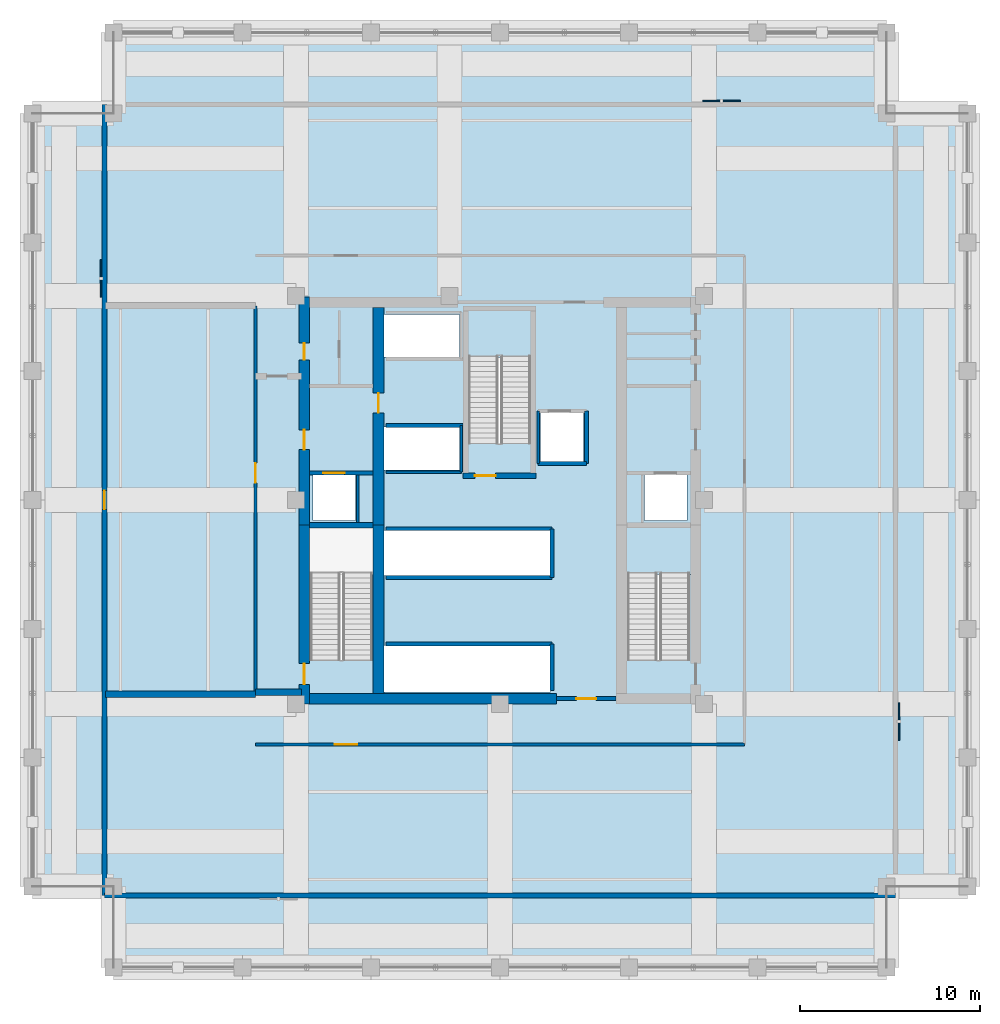
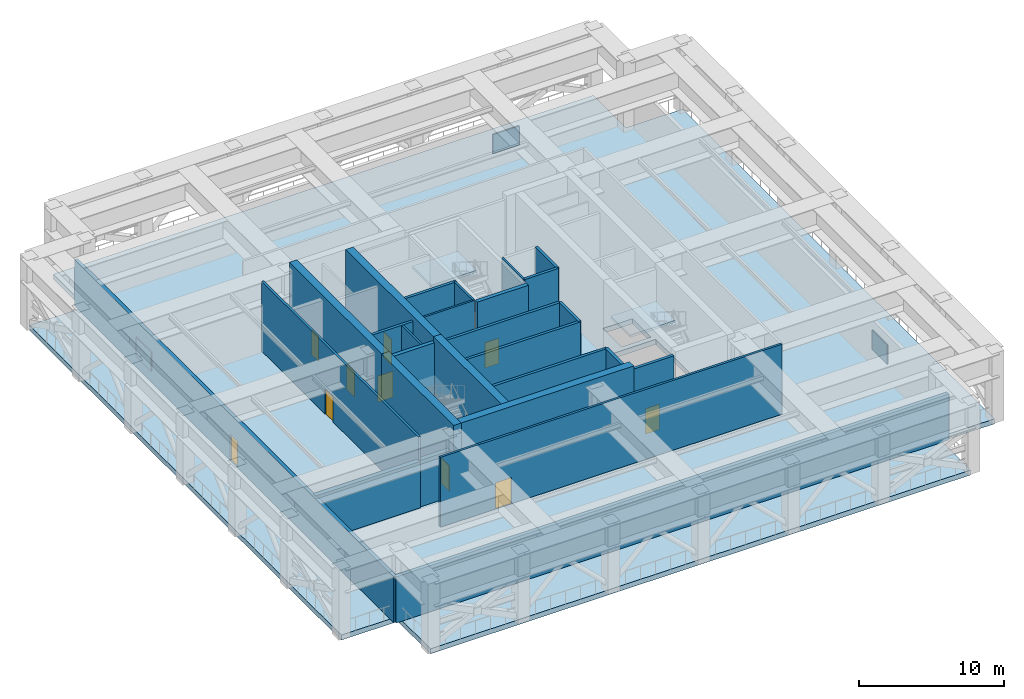
# One storey, part 3 of 12: 27 walls, 10 doors, 3 plates, 3 slabs, 10 openings, 2 elements without a shape of their own.
"""IFC4 building model written with IfcOpenShell, lengths in metres."""

from ifc_helpers import new_model, si_unit, direction, frame, frame_2d, origin, origin_2d, place, context, subcontext, project, spatial, polyline, rectangle, outline, extrude, material, layer, layer_set, type_object, element, fill, aggregate, save


model = new_model("IFC4")

# Units and contexts
model_context = context("Model", 3, precision=1e-05, world=origin(), true_north=direction((0.0, 1.0)))
body_context = subcontext(model_context, "Body", "Model", "MODEL_VIEW")
ifc_project = project(units=[si_unit("LENGTHUNIT", "METRE"), si_unit("AREAUNIT", "SQUARE_METRE"), si_unit("VOLUMEUNIT", "CUBIC_METRE"), si_unit("PLANEANGLEUNIT", "RADIAN"), si_unit("MASSUNIT", "GRAM", prefix="KILO")], contexts=[model_context])

# Site, building, storey
site_placement = place(None, origin())
site = spatial("IfcSite", under=ifc_project, at=site_placement, CompositionType="ELEMENT")
building_placement = place(site_placement, origin())
building = spatial("IfcBuilding", under=site, at=building_placement, Name="Nhamokura Convention Tower", CompositionType="ELEMENT")
storey_placement = place(building_placement, frame((0.0, 0.0, 176.050048828125)))
storey = spatial("IfcBuildingStorey", under=building, at=storey_placement, Name="L43", CompositionType="ELEMENT", Elevation=176.050048828125)

# Plates
ifc_material_1 = material(Name="Anodised bronze aluminium AA6063-T6", Category="aluminium")
ifc_layer_1 = layer(ifc_material_1, 0.0849609375)
ifc_layer_set_1 = layer_set([ifc_layer_1], Name="AcousticLouvrePlate_2")
plate_type = type_object("IfcPlateType", Name="AcousticLouvrePlate_2", PredefinedType="USERDEFINED", material=ifc_layer_set_1)
for number, where, z_axis, x_axis, name in (
    (1, (54.1826171875, 19.679931640625, 1.0), (0.0, 0.0, 1.0), (0.0, -1.0, 0.0), "L43 Plant Acoustic Louvre E"),
    (2, (44.320068359375, 54.1826171875, 1.0), (0.0, 0.0, 1.0), (1.0, 0.0, 0.0), "L43 Plant Acoustic Louvre N"),
    (3, (9.8173828125, 44.320068359375, 1.0), (0.0, 0.0, 1.0), (0.0, 1.0, 0.0), "L43 Plant Acoustic Louvre W"),
):
    element("IfcPlate", number, at=place(storey_placement, frame(where, z_axis=z_axis, x_axis=x_axis)), inside=storey, type_object=plate_type, Name=name, ObjectType="ACOUSTIC_LOUVRE", PredefinedType="USERDEFINED", context=body_context, shape_type="SweptSolid", body=[
        extrude(rectangle(XDim=2.10009765625, YDim=0.0849609375, at=origin_2d()), origin(), (0.0, 0.0, 1.0), 1.60009765625),
    ])

# Stair, slab
ifc_material_2 = material(Name="Concrete C40/50", Category="concrete")
stair_type = type_object("IfcStairType", Name="TowerCoreStair_1650", PredefinedType="HALF_TURN_STAIR", material=ifc_material_2)
stair_1_placement = place(storey_placement, origin())
stair_1 = element("IfcStair", 4, at=stair_1_placement, inside=storey, type_object=stair_type, Name="L43 East Core Smokeproof Stair ST-02", PredefinedType="HALF_TURN_STAIR")
ifc_material_3 = material(Name="Concrete C40/50", Category="concrete")
ifc_layer_2 = layer(ifc_material_3, 0.199951171875)
ifc_layer_set_2 = layer_set([ifc_layer_2], Name="StairLandingSlab_200")
slab_type_1 = type_object("IfcSlabType", Name="StairLandingSlab_200", PredefinedType="LANDING", material=ifc_layer_set_2)
slab_1_placement = place(storey_placement, frame((0.0, 0.0, 2.949951171875)))
slab_1 = element("IfcSlab", 5, at=slab_1_placement, type_object=slab_type_1, Name="ST-02 landing 1", PredefinedType="LANDING", context=body_context, shape_type="SweptSolid", body=[
    extrude(outline(polyline([(42.6298828125, 27.864990234375), (42.6298828125, 30.530029296875), (39.02001953125, 30.530029296875), (39.02001953125, 27.864990234375), (42.6298828125, 27.864990234375)])), origin(), (0.0, 0.0, 1.0), 0.199951171875),
])
aggregate(stair_1, [slab_1])

stair_2_placement = place(storey_placement, origin())
stair_2 = element("IfcStair", 6, at=stair_2_placement, inside=storey, type_object=stair_type, Name="L43 North Core Smokeproof Stair ST-03", PredefinedType="HALF_TURN_STAIR")
slab_2_placement = place(storey_placement, frame((0.0, 0.0, 2.949951171875)))
slab_2 = element("IfcSlab", 7, at=slab_2_placement, type_object=slab_type_1, Name="ST-03 landing 1", PredefinedType="LANDING", context=body_context, shape_type="SweptSolid", body=[
    extrude(outline(polyline([(33.780029296875, 39.9150390625), (33.780029296875, 42.580078125), (30.169921875, 42.580078125), (30.169921875, 39.9150390625), (33.780029296875, 39.9150390625)])), origin(), (0.0, 0.0, 1.0), 0.199951171875),
])
aggregate(stair_2, [slab_2])

# Slab
ifc_material_4 = material(Name="Concrete C50/60", Category="concrete")
ifc_layer_3 = layer(ifc_material_4, 0.419921875)
ifc_layer_set_3 = layer_set([ifc_layer_3], Name="TransferDeckSlab_380")
slab_type_2 = type_object("IfcSlabType", Name="TransferDeckSlab_380", PredefinedType="FLOOR", material=ifc_layer_set_3)
slab_3_placement = place(storey_placement, frame((0.0, 0.0, -0.420166015625)))
element("IfcSlab", 8, at=slab_3_placement, inside=storey, type_object=slab_type_2, Name="L43 Structural Floor Slab", PredefinedType="FLOOR", context=body_context, shape_type="SweptSolid", body=[
    extrude(outline(polyline([(10.5, 6.0), (53.5, 6.0), (53.5, 10.5), (58.0, 10.5), (58.0, 53.5), (53.5, 53.5), (53.5, 58.0), (10.5, 58.0), (10.5, 53.5), (6.0, 53.5), (6.0, 10.5), (10.5, 10.5), (10.5, 6.0)]), holes=[polyline([(24.89990234375, 23.10009765625), (24.89990234375, 30.449951171875), (21.449951171875, 30.449951171875), (21.449951171875, 23.10009765625), (24.89990234375, 23.10009765625)]), polyline([(42.550048828125, 23.10009765625), (42.550048828125, 30.449951171875), (39.10009765625, 30.449951171875), (39.10009765625, 23.10009765625), (42.550048828125, 23.10009765625)]), polyline([(33.699951171875, 35.14990234375), (33.699951171875, 42.5), (30.25, 42.5), (30.25, 35.14990234375), (33.699951171875, 35.14990234375)]), polyline([(21.60009765625, 30.85009765625), (23.949951171875, 30.85009765625), (23.949951171875, 33.39990234375), (21.60009765625, 33.39990234375), (21.60009765625, 30.85009765625)]), polyline([(40.050048828125, 30.85009765625), (42.39990234375, 30.85009765625), (42.39990234375, 33.39990234375), (40.050048828125, 33.39990234375), (40.050048828125, 30.85009765625)]), polyline([(34.25, 34.14990234375), (36.64990234375, 34.14990234375), (36.64990234375, 36.85009765625), (34.25, 36.85009765625), (34.25, 34.14990234375)]), polyline([(25.52001953125, 21.320068359375), (34.800048828125, 21.320068359375), (34.800048828125, 23.89990234375), (25.52001953125, 23.89990234375), (25.52001953125, 21.320068359375)]), polyline([(25.52001953125, 27.800048828125), (34.800048828125, 27.800048828125), (34.800048828125, 30.300048828125), (25.52001953125, 30.300048828125), (25.52001953125, 27.800048828125)]), polyline([(25.52001953125, 33.679931640625), (29.75, 33.679931640625), (29.75, 36.050048828125), (25.52001953125, 36.050048828125), (25.52001953125, 33.679931640625)]), polyline([(25.52001953125, 39.949951171875), (29.75, 39.949951171875), (29.75, 42.320068359375), (25.52001953125, 42.320068359375), (25.52001953125, 39.949951171875)])]), origin(), (0.0, 0.0, 1.0), 0.420166015625),
])

# Wall
ifc_material_5 = material(Name="Bronze-pigmented precast concrete C45/55", Category="concrete")
ifc_layer_4 = layer(ifc_material_5, 0.280029296875)
ifc_layer_set_4 = layer_set([ifc_layer_4], Name="BronzePrecastSpandrel_280")
wall_type_1 = type_object("IfcWallType", Name="BronzePrecastSpandrel_280", PredefinedType="USERDEFINED", material=ifc_layer_set_4)
wall_1_placement = place(storey_placement, frame((54.0, 10.0, 0.0), z_axis=(0.0, 0.0, 1.0), x_axis=(-1.0, 0.0, 0.0)))
element("IfcWall", 9, at=wall_1_placement, inside=storey, type_object=wall_type_1, Name="L43 Refuge Deck Enclosure Wall S", ObjectType="SPANDREL_WALL", PredefinedType="USERDEFINED", context=body_context, shape_type="SweptSolid", body=[
    extrude(rectangle(XDim=44.0, YDim=0.280029296875, at=frame_2d((22.0, 0.0))), origin(), (0.0, 0.0, 1.0), 3.8798828125),
])

# Wall, opening, door
wall_2_placement = place(storey_placement, frame((10.0, 10.0, 0.0), z_axis=(0.0, 0.0, 1.0), x_axis=(0.0, 1.0, 0.0)))
wall_2 = element("IfcWall", 10, at=wall_2_placement, inside=storey, type_object=wall_type_1, Name="L43 Refuge Deck Enclosure Wall W", ObjectType="SPANDREL_WALL", PredefinedType="USERDEFINED", context=body_context, shape_type="SweptSolid", body=[
    extrude(rectangle(XDim=44.0, YDim=0.280029296875, at=frame_2d((22.0, 0.0))), origin(), (0.0, 0.0, 1.0), 3.8798828125),
])
opening_1_placement = place(wall_2_placement, frame((21.47509765625, 0.0, 0.0)))
opening_1 = element("IfcOpeningElement", 11, at=opening_1_placement, cuts=wall_2, Name="Opening D-06", PredefinedType="OPENING", context=body_context, shape_type="SweptSolid", body=[
    extrude(rectangle(XDim=1.050048828125, YDim=2.199951171875, at=frame_2d((0.52490234375, 1.10009765625))), frame((0.0, 0.14990234375, 0.0), z_axis=(0.0, -1.0, 0.0), x_axis=(1.0, 0.0, 0.0)), (0.0, 0.0, 1.0), 0.300048828125),
])
ifc_material_6 = material(Name="Anodised bronze aluminium AA6063-T6", Category="aluminium")
door_type_1 = type_object("IfcDoorType", Name="TerraceAccessDoor_1050", OperationType="NOTDEFINED", PredefinedType="DOOR", material=ifc_material_6)
door_1_placement = place(opening_1_placement, origin())
door_1 = element("IfcDoor", 12, at=door_1_placement, inside=storey, type_object=door_type_1, Name="L43 Refuge Deck Access Door W", OperationType="SINGLE_SWING_RIGHT", OverallHeight=2.199951171875, OverallWidth=1.050048828125, PredefinedType="DOOR", context=body_context, shape_type="SweptSolid", body=[
    extrude(rectangle(XDim=1.050048828125, YDim=2.199951171875, at=frame_2d((0.52490234375, 1.10009765625))), frame((0.0, 0.02490234375, 0.0), z_axis=(0.0, -1.0, 0.0), x_axis=(1.0, 0.0, 0.0)), (0.0, 0.0, 1.0), 0.050048828125),
])
fill(opening_1, door_1)

ifc_material_7 = material(Name="Concrete C60/75", Category="concrete")
ifc_layer_5 = layer(ifc_material_7, 0.60009765625)
ifc_layer_set_5 = layer_set([ifc_layer_5], Name="CoreShearWall_600")
wall_type_2 = type_object("IfcWallType", Name="CoreShearWall_600", PredefinedType="SHEAR", material=ifc_layer_set_5)
wall_3_placement = place(storey_placement, frame((21.110107421875, 20.64990234375, 0.0), z_axis=(0.0, 0.0, 1.0), x_axis=(0.0, 1.0, 0.0)))
wall_3 = element("IfcWall", 13, at=wall_3_placement, inside=storey, type_object=wall_type_2, Name="L43 Core Shear Wall CW-WS", PredefinedType="SHEAR", context=body_context, shape_type="SweptSolid", body=[
    extrude(rectangle(XDim=9.9501953125, YDim=0.60009765625, at=frame_2d((4.97509765625, 0.0))), origin(), (0.0, 0.0, 1.0), 6.300048828125),
])
opening_2_placement = place(wall_3_placement, frame((1.10009765625, 0.0, 0.0)))
opening_2 = element("IfcOpeningElement", 14, at=opening_2_placement, cuts=wall_3, Name="Opening D-04", PredefinedType="OPENING", context=body_context, shape_type="SweptSolid", body=[
    extrude(rectangle(XDim=1.14990234375, YDim=2.14990234375, at=frame_2d((0.574951171875, 1.074951171875))), frame((0.0, 0.31005859375, 0.0), z_axis=(0.0, -1.0, 0.0), x_axis=(1.0, 0.0, 0.0)), (0.0, 0.0, 1.0), 0.6201171875),
])
ifc_material_8 = material(Name="Fire-rated steel door", Category="steel")
door_type_2 = type_object("IfcDoorType", Name="StairSmokeDoor_1150", OperationType="NOTDEFINED", PredefinedType="DOOR", material=ifc_material_8)
door_2_placement = place(opening_2_placement, origin())
door_2 = element("IfcDoor", 15, at=door_2_placement, inside=storey, type_object=door_type_2, Name="L43 Core Door INT-L43-D-ST01", OperationType="SINGLE_SWING_LEFT", OverallHeight=2.14990234375, OverallWidth=1.14990234375, PredefinedType="DOOR", context=body_context, shape_type="SweptSolid", body=[
    extrude(rectangle(XDim=1.14990234375, YDim=2.14990234375, at=frame_2d((0.574951171875, 1.074951171875))), frame((0.0, 0.02490234375, 0.0), z_axis=(0.0, -1.0, 0.0), x_axis=(1.0, 0.0, 0.0)), (0.0, 0.0, 1.0), 0.050048828125),
])
fill(opening_2, door_2)

# Wall, openings, doors
wall_4_placement = place(storey_placement, frame((21.110107421875, 30.60009765625, 0.0), z_axis=(0.0, 0.0, 1.0), x_axis=(0.0, 1.0, 0.0)))
wall_4 = element("IfcWall", 16, at=wall_4_placement, inside=storey, type_object=wall_type_2, Name="L43 Core Shear Wall CW-WN", PredefinedType="SHEAR", context=body_context, shape_type="SweptSolid", body=[
    extrude(rectangle(XDim=12.699951171875, YDim=0.60009765625, at=frame_2d((6.35009765625, 0.0))), origin(), (0.0, 0.0, 1.0), 6.300048828125),
])
opening_3_placement = place(wall_4_placement, frame((4.199951171875, 0.0, 0.0)))
opening_3 = element("IfcOpeningElement", 17, at=opening_3_placement, cuts=wall_4, Name="Opening D-05", PredefinedType="OPENING", context=body_context, shape_type="SweptSolid", body=[
    extrude(rectangle(XDim=1.10009765625, YDim=2.14990234375, at=frame_2d((0.550048828125, 1.074951171875))), frame((0.0, 0.31005859375, 0.0), z_axis=(0.0, -1.0, 0.0), x_axis=(1.0, 0.0, 0.0)), (0.0, 0.0, 1.0), 0.6201171875),
])
opening_4_placement = place(wall_4_placement, frame((9.199951171875, 0.0, 0.0)))
opening_4 = element("IfcOpeningElement", 18, at=opening_4_placement, cuts=wall_4, Name="Opening D-10", PredefinedType="OPENING", context=body_context, shape_type="SweptSolid", body=[
    extrude(rectangle(XDim=0.919921875, YDim=2.10009765625, at=frame_2d((0.4599609375, 1.050048828125))), frame((0.0, 0.31005859375, 0.0), z_axis=(0.0, -1.0, 0.0), x_axis=(1.0, 0.0, 0.0)), (0.0, 0.0, 1.0), 0.6201171875),
])
ifc_material_9 = material(Name="Solid oak hardwood", Category="wood")
door_type_3 = type_object("IfcDoorType", Name="AccessibleWCDoor_920", OperationType="NOTDEFINED", PredefinedType="DOOR", material=ifc_material_9)
door_3_placement = place(opening_4_placement, origin())
door_3 = element("IfcDoor", 19, at=door_3_placement, inside=storey, type_object=door_type_3, Name="L43 Core Door INT-L43-D-AWCW", OperationType="SINGLE_SWING_RIGHT", OverallHeight=2.10009765625, OverallWidth=0.919921875, PredefinedType="DOOR", context=body_context, shape_type="SweptSolid", body=[
    extrude(rectangle(XDim=0.919921875, YDim=2.10009765625, at=frame_2d((0.4599609375, 1.050048828125))), frame((0.0, 0.02490234375, 0.0), z_axis=(0.0, -1.0, 0.0), x_axis=(1.0, 0.0, 0.0)), (0.0, 0.0, 1.0), 0.050048828125),
])
fill(opening_4, door_3)
ifc_material_10 = material(Name="Fire-rated steel door", Category="steel")
door_type_4 = type_object("IfcDoorType", Name="FireLobbyDoor_1100", OperationType="NOTDEFINED", PredefinedType="DOOR", material=ifc_material_10)
door_4_placement = place(opening_3_placement, origin())
door_4 = element("IfcDoor", 20, at=door_4_placement, inside=storey, type_object=door_type_4, Name="L43 Core Door INT-L43-D-FFLW", OperationType="SINGLE_SWING_RIGHT", OverallHeight=2.14990234375, OverallWidth=1.10009765625, PredefinedType="DOOR", context=body_context, shape_type="SweptSolid", body=[
    extrude(rectangle(XDim=1.10009765625, YDim=2.14990234375, at=frame_2d((0.550048828125, 1.074951171875))), frame((0.0, 0.02490234375, 0.0), z_axis=(0.0, -1.0, 0.0), x_axis=(1.0, 0.0, 0.0)), (0.0, 0.0, 1.0), 0.050048828125),
])
fill(opening_3, door_4)

# Walls
wall_5_placement = place(storey_placement, frame((21.409912109375, 20.949951171875, 0.0), z_axis=(0.0, 0.0, 1.0), x_axis=(1.0, 0.0, 0.0)))
element("IfcWall", 21, at=wall_5_placement, inside=storey, type_object=wall_type_2, Name="L43 Core Shear Wall CW-S1", PredefinedType="SHEAR", context=body_context, shape_type="SweptSolid", body=[
    extrude(rectangle(XDim=13.739990234375, YDim=0.60009765625, at=frame_2d((6.8701171875, 0.0))), origin(), (0.0, 0.0, 1.0), 6.300048828125),
])
wall_6_placement = place(storey_placement, frame((25.239990234375, 21.25, 0.0), z_axis=(0.0, 0.0, 1.0), x_axis=(0.0, 1.0, 0.0)))
element("IfcWall", 22, at=wall_6_placement, inside=storey, type_object=wall_type_2, Name="L43 Core Shear Wall CW-IWS", PredefinedType="SHEAR", context=body_context, shape_type="SweptSolid", body=[
    extrude(rectangle(XDim=9.35009765625, YDim=0.60009765625, at=frame_2d((4.675048828125, 0.0))), origin(), (0.0, 0.0, 1.0), 6.300048828125),
])

# Wall, opening, door
wall_7_placement = place(storey_placement, frame((25.239990234375, 30.60009765625, 0.0), z_axis=(0.0, 0.0, 1.0), x_axis=(0.0, 1.0, 0.0)))
wall_7 = element("IfcWall", 23, at=wall_7_placement, inside=storey, type_object=wall_type_2, Name="L43 Core Shear Wall CW-IWN", PredefinedType="SHEAR", context=body_context, shape_type="SweptSolid", body=[
    extrude(rectangle(XDim=12.099853515625, YDim=0.60009765625, at=frame_2d((6.0498046875, 0.0))), origin(), (0.0, 0.0, 1.0), 6.300048828125),
])
opening_5_placement = place(wall_7_placement, frame((6.25, 0.0, 0.0)))
opening_5 = element("IfcOpeningElement", 24, at=opening_5_placement, cuts=wall_7, Name="Opening D-05", PredefinedType="OPENING", context=body_context, shape_type="SweptSolid", body=[
    extrude(rectangle(XDim=1.10009765625, YDim=2.14990234375, at=frame_2d((0.550048828125, 1.074951171875))), frame((0.0, 0.31005859375, 0.0), z_axis=(0.0, -1.0, 0.0), x_axis=(1.0, 0.0, 0.0)), (0.0, 0.0, 1.0), 0.6201171875),
])
door_5_placement = place(opening_5_placement, origin())
door_5 = element("IfcDoor", 25, at=door_5_placement, inside=storey, type_object=door_type_4, Name="L43 Core Door INT-L43-D-B3LOB", OperationType="SINGLE_SWING_LEFT", OverallHeight=2.14990234375, OverallWidth=1.10009765625, PredefinedType="DOOR", context=body_context, shape_type="SweptSolid", body=[
    extrude(rectangle(XDim=1.10009765625, YDim=2.14990234375, at=frame_2d((0.550048828125, 1.074951171875))), frame((0.0, 0.02490234375, 0.0), z_axis=(0.0, -1.0, 0.0), x_axis=(1.0, 0.0, 0.0)), (0.0, 0.0, 1.0), 0.050048828125),
])
fill(opening_5, door_5)

ifc_material_11 = material(Name="Fire-rated gypsum and masonry partition", Category="masonry")
ifc_layer_6 = layer(ifc_material_11, 0.179931640625)
ifc_layer_set_6 = layer_set([ifc_layer_6], Name="CorridorRatedWall_180")
wall_type_3 = type_object("IfcWallType", Name="CorridorRatedWall_180", PredefinedType="STANDARD", material=ifc_layer_set_6)
wall_8_placement = place(storey_placement, frame((18.39990234375, 18.39990234375, 0.0), z_axis=(0.0, 0.0, 1.0), x_axis=(1.0, 0.0, 0.0)))
wall_8 = element("IfcWall", 26, at=wall_8_placement, inside=storey, type_object=wall_type_3, Name="L43 Wall INT-L43-CW-S00", PredefinedType="STANDARD", context=body_context, shape_type="SweptSolid", body=[
    extrude(rectangle(XDim=27.2001953125, YDim=0.179931640625, at=frame_2d((13.60009765625, 0.0))), origin(), (0.0, 0.0, 1.0), 5.8798828125),
])
opening_6_placement = place(wall_8_placement, frame((4.39990234375, 0.0, 0.0)))
opening_6 = element("IfcOpeningElement", 27, at=opening_6_placement, cuts=wall_8, Name="Opening D-12", PredefinedType="OPENING", context=body_context, shape_type="SweptSolid", body=[
    extrude(rectangle(XDim=1.25, YDim=2.199951171875, at=frame_2d((0.625, 1.10009765625))), frame((0.0, 0.099853515625, 0.0), z_axis=(0.0, -1.0, 0.0), x_axis=(1.0, 0.0, 0.0)), (0.0, 0.0, 1.0), 0.199951171875),
])
ifc_material_12 = material(Name="Fire-rated steel door", Category="steel")
door_type_5 = type_object("IfcDoorType", Name="PlantServiceDoor_1250", OperationType="NOTDEFINED", PredefinedType="DOOR", material=ifc_material_12)
door_6_placement = place(opening_6_placement, origin())
door_6 = element("IfcDoor", 28, at=door_6_placement, inside=storey, type_object=door_type_5, Name="L43 Smoke Pressurisation Plant S01 Door", OperationType="SINGLE_SWING_LEFT", OverallHeight=2.199951171875, OverallWidth=1.25, PredefinedType="DOOR", context=body_context, shape_type="SweptSolid", body=[
    extrude(rectangle(XDim=1.25, YDim=2.199951171875, at=frame_2d((0.625, 1.10009765625))), frame((0.0, 0.02490234375, 0.0), z_axis=(0.0, -1.0, 0.0), x_axis=(1.0, 0.0, 0.0)), (0.0, 0.0, 1.0), 0.050048828125),
])
fill(opening_6, door_6)

wall_9_placement = place(storey_placement, frame((18.39990234375, 21.199951171875, 0.0), z_axis=(0.0, 0.0, 1.0), x_axis=(0.0, 1.0, 0.0)))
wall_9 = element("IfcWall", 29, at=wall_9_placement, inside=storey, type_object=wall_type_3, Name="L43 Wall INT-L43-CW-W00", PredefinedType="STANDARD", context=body_context, shape_type="SweptSolid", body=[
    extrude(rectangle(XDim=21.60009765625, YDim=0.179931640625, at=frame_2d((10.800048828125, 0.0))), origin(), (0.0, 0.0, 1.0), 5.8798828125),
])
opening_7_placement = place(wall_9_placement, frame((11.75, 0.0, 0.0)))
opening_7 = element("IfcOpeningElement", 30, at=opening_7_placement, cuts=wall_9, Name="Opening D-05", PredefinedType="OPENING", context=body_context, shape_type="SweptSolid", body=[
    extrude(rectangle(XDim=1.10009765625, YDim=2.14990234375, at=frame_2d((0.550048828125, 1.074951171875))), frame((0.0, 0.099853515625, 0.0), z_axis=(0.0, -1.0, 0.0), x_axis=(1.0, 0.0, 0.0)), (0.0, 0.0, 1.0), 0.199951171875),
])
door_7_placement = place(opening_7_placement, origin())
door_7 = element("IfcDoor", 31, at=door_7_placement, inside=storey, type_object=door_type_4, Name="L43 Designated Fire Refuge Area W01 Door", OperationType="SINGLE_SWING_LEFT", OverallHeight=2.14990234375, OverallWidth=1.10009765625, PredefinedType="DOOR", context=body_context, shape_type="SweptSolid", body=[
    extrude(rectangle(XDim=1.10009765625, YDim=2.14990234375, at=frame_2d((0.550048828125, 1.074951171875))), frame((0.0, 0.02490234375, 0.0), z_axis=(0.0, -1.0, 0.0), x_axis=(1.0, 0.0, 0.0)), (0.0, 0.0, 1.0), 0.050048828125),
])
fill(opening_7, door_7)

ifc_material_13 = material(Name="Autoclaved concrete blockwork", Category="masonry")
ifc_layer_7 = layer(ifc_material_13, 0.219970703125)
ifc_layer_set_7 = layer_set([ifc_layer_7], Name="FireLobbyWall_220")
wall_type_4 = type_object("IfcWallType", Name="FireLobbyWall_220", PredefinedType="STANDARD", material=ifc_layer_set_7)
wall_10_placement = place(storey_placement, frame((21.409912109375, 33.5, 0.0), z_axis=(0.0, 0.0, 1.0), x_axis=(1.0, 0.0, 0.0)))
wall_10 = element("IfcWall", 32, at=wall_10_placement, inside=storey, type_object=wall_type_4, Name="L43 Wall INT-L43-FFW-S", PredefinedType="STANDARD", context=body_context, shape_type="SweptSolid", body=[
    extrude(rectangle(XDim=3.530029296875, YDim=0.219970703125, at=frame_2d((1.76513671875, 0.0))), origin(), (0.0, 0.0, 1.0), 5.8798828125),
])
opening_8_placement = place(wall_10_placement, frame((0.75, 0.0, 0.0)))
opening_8 = element("IfcOpeningElement", 33, at=opening_8_placement, cuts=wall_10, Name="Opening LD-02", PredefinedType="OPENING", context=body_context, shape_type="SweptSolid", body=[
    extrude(rectangle(XDim=1.199951171875, YDim=2.199951171875, at=frame_2d((0.60009765625, 1.10009765625))), frame((0.0, 0.119873046875, 0.0), z_axis=(0.0, -1.0, 0.0), x_axis=(1.0, 0.0, 0.0)), (0.0, 0.0, 1.0), 0.239990234375),
])
ifc_material_14 = material(Name="Anodised bronze stainless steel", Category="steel")
door_type_6 = type_object("IfcDoorType", Name="LiftLandingDoor_FireService", OperationType="DOUBLE_DOOR_SLIDING", PredefinedType="DOOR", material=ifc_material_14)
door_8_placement = place(opening_8_placement, origin())
door_8 = element("IfcDoor", 34, at=door_8_placement, inside=storey, type_object=door_type_6, Name="L43 Firefighting Lift LF-01 Door", OperationType="DOUBLE_DOOR_SLIDING", OverallHeight=2.199951171875, OverallWidth=1.199951171875, PredefinedType="DOOR", context=body_context, shape_type="SweptSolid", body=[
    extrude(rectangle(XDim=1.199951171875, YDim=2.199951171875, at=frame_2d((0.60009765625, 1.10009765625))), frame((0.0, 0.02490234375, 0.0), z_axis=(0.0, -1.0, 0.0), x_axis=(1.0, 0.0, 0.0)), (0.0, 0.0, 1.0), 0.050048828125),
])
fill(opening_8, door_8)

wall_11_placement = place(storey_placement, frame((35.14990234375, 20.949951171875, 0.0), z_axis=(0.0, 0.0, 1.0), x_axis=(1.0, 0.0, 0.0)))
wall_11 = element("IfcWall", 35, at=wall_11_placement, inside=storey, type_object=wall_type_4, Name="L43 Wall INT-L43-SPORT-S", PredefinedType="STANDARD", context=body_context, shape_type="SweptSolid", body=[
    extrude(rectangle(XDim=3.300048828125, YDim=0.219970703125, at=frame_2d((1.64990234375, 0.0))), origin(), (0.0, 0.0, 1.0), 5.8798828125),
])
opening_9_placement = place(wall_11_placement, frame((1.10009765625, 0.0, 0.0)))
opening_9 = element("IfcOpeningElement", 36, at=opening_9_placement, cuts=wall_11, Name="Opening D-05", PredefinedType="OPENING", context=body_context, shape_type="SweptSolid", body=[
    extrude(rectangle(XDim=1.10009765625, YDim=2.14990234375, at=frame_2d((0.550048828125, 1.074951171875))), frame((0.0, 0.119873046875, 0.0), z_axis=(0.0, -1.0, 0.0), x_axis=(1.0, 0.0, 0.0)), (0.0, 0.0, 1.0), 0.239990234375),
])
door_9_placement = place(opening_9_placement, origin())
door_9 = element("IfcDoor", 37, at=door_9_placement, inside=storey, type_object=door_type_4, Name="L43 South Core Lobby Portal Door", OperationType="SINGLE_SWING_LEFT", OverallHeight=2.14990234375, OverallWidth=1.10009765625, PredefinedType="DOOR", context=body_context, shape_type="SweptSolid", body=[
    extrude(rectangle(XDim=1.10009765625, YDim=2.14990234375, at=frame_2d((0.550048828125, 1.074951171875))), frame((0.0, 0.02490234375, 0.0), z_axis=(0.0, -1.0, 0.0), x_axis=(1.0, 0.0, 0.0)), (0.0, 0.0, 1.0), 0.050048828125),
])
fill(opening_9, door_9)

# Walls
wall_12_placement = place(storey_placement, frame((25.64990234375, 24.0, 0.0), z_axis=(0.0, 0.0, 1.0), x_axis=(1.0, 0.0, 0.0)))
element("IfcWall", 38, at=wall_12_placement, inside=storey, type_object=wall_type_4, Name="L43 Wall INT-L43-B1N", PredefinedType="STANDARD", context=body_context, shape_type="SweptSolid", body=[
    extrude(rectangle(XDim=9.25, YDim=0.219970703125, at=frame_2d((4.625, 0.0))), origin(), (0.0, 0.0, 1.0), 5.8798828125),
])
wall_13_placement = place(storey_placement, frame((34.89990234375, 21.39990234375, 0.0), z_axis=(0.0, 0.0, 1.0), x_axis=(0.0, 1.0, 0.0)))
element("IfcWall", 39, at=wall_13_placement, inside=storey, type_object=wall_type_4, Name="L43 Wall INT-L43-B1E", PredefinedType="STANDARD", context=body_context, shape_type="SweptSolid", body=[
    extrude(rectangle(XDim=2.60009765625, YDim=0.219970703125, at=frame_2d((1.300048828125, 0.0))), origin(), (0.0, 0.0, 1.0), 5.8798828125),
])
for number, where, z_axis, x_axis, name in (
    (40, (25.64990234375, 27.699951171875, 0.0), (0.0, 0.0, 1.0), (1.0, 0.0, 0.0), "L43 Wall INT-L43-B2S"),
    (41, (25.64990234375, 30.39990234375, 0.0), (0.0, 0.0, 1.0), (1.0, 0.0, 0.0), "L43 Wall INT-L43-B2N"),
):
    element("IfcWall", number, at=place(storey_placement, frame(where, z_axis=z_axis, x_axis=x_axis)), inside=storey, type_object=wall_type_4, Name=name, PredefinedType="STANDARD", context=body_context, shape_type="SweptSolid", body=[
        extrude(rectangle(XDim=9.25, YDim=0.219970703125, at=frame_2d((4.625, 0.0))), origin(), (0.0, 0.0, 1.0), 5.8798828125),
    ])
wall_14_placement = place(storey_placement, frame((34.89990234375, 27.699951171875, 0.0), z_axis=(0.0, 0.0, 1.0), x_axis=(0.0, 1.0, 0.0)))
element("IfcWall", 42, at=wall_14_placement, inside=storey, type_object=wall_type_4, Name="L43 Wall INT-L43-B2E", PredefinedType="STANDARD", context=body_context, shape_type="SweptSolid", body=[
    extrude(rectangle(XDim=2.699951171875, YDim=0.219970703125, at=frame_2d((1.35009765625, 0.0))), origin(), (0.0, 0.0, 1.0), 5.8798828125),
])
wall_15_placement = place(storey_placement, frame((25.64990234375, 36.14990234375, 0.0), z_axis=(0.0, 0.0, 1.0), x_axis=(1.0, 0.0, 0.0)))
element("IfcWall", 43, at=wall_15_placement, inside=storey, type_object=wall_type_4, Name="L43 Wall INT-L43-B3S", PredefinedType="STANDARD", context=body_context, shape_type="SweptSolid", body=[
    extrude(rectangle(XDim=4.300048828125, YDim=0.219970703125, at=frame_2d((2.14990234375, 0.0))), origin(), (0.0, 0.0, 1.0), 5.8798828125),
])
wall_16_placement = place(storey_placement, frame((36.800048828125, 34.02001953125, 0.0), z_axis=(0.0, 0.0, 1.0), x_axis=(0.0, 1.0, 0.0)))
element("IfcWall", 44, at=wall_16_placement, inside=storey, type_object=wall_type_4, Name="L43 Wall INT-L43-LSE", PredefinedType="STANDARD", context=body_context, shape_type="SweptSolid", body=[
    extrude(rectangle(XDim=2.929931640625, YDim=0.219970703125, at=frame_2d((1.46484375, 0.0))), origin(), (0.0, 0.0, 1.0), 5.8798828125),
])
wall_17_placement = place(storey_placement, frame((34.1201171875, 34.02001953125, 0.0), z_axis=(0.0, 0.0, 1.0), x_axis=(1.0, 0.0, 0.0)))
element("IfcWall", 45, at=wall_17_placement, inside=storey, type_object=wall_type_4, Name="L43 Wall INT-L43-LSS", PredefinedType="STANDARD", context=body_context, shape_type="SweptSolid", body=[
    extrude(rectangle(XDim=2.679931640625, YDim=0.219970703125, at=frame_2d((1.33984375, 0.0))), origin(), (0.0, 0.0, 1.0), 5.8798828125),
])
ifc_material_15 = material(Name="Concrete C50/60", Category="concrete")
ifc_layer_8 = layer(ifc_material_15, 0.35009765625)
ifc_layer_set_8 = layer_set([ifc_layer_8], Name="FirewallPlant_350")
wall_type_5 = type_object("IfcWallType", Name="FirewallPlant_350", PredefinedType="STANDARD", material=ifc_layer_set_8)
wall_18_placement = place(storey_placement, frame((18.39990234375, 21.300048828125, 0.0), z_axis=(0.0, 0.0, 1.0), x_axis=(1.0, 0.0, 0.0)))
element("IfcWall", 46, at=wall_18_placement, inside=storey, type_object=wall_type_5, Name="L43 Wall INT-L43-RLOB-S", PredefinedType="STANDARD", context=body_context, shape_type="SweptSolid", body=[
    extrude(rectangle(XDim=2.550048828125, YDim=0.35009765625, at=frame_2d((1.27490234375, 0.0))), origin(), (0.0, 0.0, 1.0), 3.907958984375),
])
wall_19_placement = place(storey_placement, frame((10.050048828125, 21.199951171875, 0.0), z_axis=(0.0, 0.0, 1.0), x_axis=(1.0, 0.0, 0.0)))
element("IfcWall", 47, at=wall_19_placement, inside=storey, type_object=wall_type_5, Name="L43 Wall INT-L43-RWB-W", PredefinedType="STANDARD", context=body_context, shape_type="SweptSolid", body=[
    extrude(rectangle(XDim=8.349853515625, YDim=0.35009765625, at=frame_2d((4.1748046875, 0.0))), origin(), (0.0, 0.0, 1.0), 3.907958984375),
])
ifc_material_16 = material(Name="Acoustic gypsum stud partition", Category="masonry")
ifc_layer_9 = layer(ifc_material_16, 0.14990234375)
ifc_layer_set_9 = layer_set([ifc_layer_9], Name="InteriorPartition_150")
wall_type_6 = type_object("IfcWallType", Name="InteriorPartition_150", PredefinedType="STANDARD", material=ifc_layer_set_9)
wall_20_placement = place(storey_placement, frame((24.080078125, 30.75, 0.0), z_axis=(0.0, 0.0, 1.0), x_axis=(0.0, 1.0, 0.0)))
element("IfcWall", 48, at=wall_20_placement, inside=storey, type_object=wall_type_6, Name="L43 Wall INT-L43-FF1-E", PredefinedType="STANDARD", context=body_context, shape_type="SweptSolid", body=[
    extrude(rectangle(XDim=2.64990234375, YDim=0.14990234375, at=frame_2d((1.324951171875, 0.0))), origin(), (0.0, 0.0, 1.0), 5.8798828125),
])
wall_21_placement = place(storey_placement, frame((25.64990234375, 33.550048828125, 0.0), z_axis=(0.0, 0.0, 1.0), x_axis=(1.0, 0.0, 0.0)))
element("IfcWall", 49, at=wall_21_placement, inside=storey, type_object=wall_type_6, Name="L43 Wall INT-L43-B3A-S", PredefinedType="STANDARD", context=body_context, shape_type="SweptSolid", body=[
    extrude(rectangle(XDim=4.2001953125, YDim=0.14990234375, at=frame_2d((2.10009765625, 0.0))), origin(), (0.0, 0.0, 1.0), 5.8798828125),
])
wall_22_placement = place(storey_placement, frame((29.85009765625, 33.550048828125, 0.0), z_axis=(0.0, 0.0, 1.0), x_axis=(0.0, 1.0, 0.0)))
element("IfcWall", 50, at=wall_22_placement, inside=storey, type_object=wall_type_6, Name="L43 Wall INT-L43-B3A-E", PredefinedType="STANDARD", context=body_context, shape_type="SweptSolid", body=[
    extrude(rectangle(XDim=2.599853515625, YDim=0.14990234375, at=frame_2d((1.2998046875, 0.0))), origin(), (0.0, 0.0, 1.0), 5.8798828125),
])
wall_23_placement = place(storey_placement, frame((34.1201171875, 34.02001953125, 0.0), z_axis=(0.0, 0.0, 1.0), x_axis=(0.0, 1.0, 0.0)))
element("IfcWall", 51, at=wall_23_placement, inside=storey, type_object=wall_type_6, Name="L43 Wall INT-L43-LSW", PredefinedType="STANDARD", context=body_context, shape_type="SweptSolid", body=[
    extrude(rectangle(XDim=2.929931640625, YDim=0.14990234375, at=frame_2d((1.46484375, 0.0))), origin(), (0.0, 0.0, 1.0), 5.8798828125),
])
ifc_material_17 = material(Name="Concrete C50/60", Category="concrete")
ifc_layer_10 = layer(ifc_material_17, 0.300048828125)
ifc_layer_set_10 = layer_set([ifc_layer_10], Name="ShaftEnclosureWall_300")
wall_type_7 = type_object("IfcWallType", Name="ShaftEnclosureWall_300", PredefinedType="SHEAR", material=ifc_layer_set_10)
wall_24_placement = place(storey_placement, frame((21.409912109375, 30.60009765625, 0.0), z_axis=(0.0, 0.0, 1.0), x_axis=(1.0, 0.0, 0.0)))
element("IfcWall", 52, at=wall_24_placement, inside=storey, type_object=wall_type_7, Name="L43 Wall INT-L43-ST01-N", PredefinedType="SHEAR", context=body_context, shape_type="SweptSolid", body=[
    extrude(rectangle(XDim=3.530029296875, YDim=0.300048828125, at=frame_2d((1.76513671875, 0.0))), origin(), (0.0, 0.0, 1.0), 5.8798828125),
])

# Wall, opening, door
wall_25_placement = place(storey_placement, frame((29.949951171875, 33.35009765625, 0.0), z_axis=(0.0, 0.0, 1.0), x_axis=(1.0, 0.0, 0.0)))
wall_25 = element("IfcWall", 53, at=wall_25_placement, inside=storey, type_object=wall_type_7, Name="L43 Wall INT-L43-ST03S", PredefinedType="SHEAR", context=body_context, shape_type="SweptSolid", body=[
    extrude(rectangle(XDim=4.050048828125, YDim=0.300048828125, at=frame_2d((2.02490234375, 0.0))), origin(), (0.0, 0.0, 1.0), 5.8798828125),
])
opening_10_placement = place(wall_25_placement, frame((0.64990234375, 0.0, 0.0)))
opening_10 = element("IfcOpeningElement", 54, at=opening_10_placement, cuts=wall_25, Name="Opening D-04", PredefinedType="OPENING", context=body_context, shape_type="SweptSolid", body=[
    extrude(rectangle(XDim=1.14990234375, YDim=2.14990234375, at=frame_2d((0.574951171875, 1.074951171875))), frame((0.0, 0.159912109375, 0.0), z_axis=(0.0, -1.0, 0.0), x_axis=(1.0, 0.0, 0.0)), (0.0, 0.0, 1.0), 0.320068359375),
])
door_10_placement = place(opening_10_placement, origin())
door_10 = element("IfcDoor", 55, at=door_10_placement, inside=storey, type_object=door_type_2, Name="L43 Stair ST-03 Smoke Door", OperationType="SINGLE_SWING_LEFT", OverallHeight=2.14990234375, OverallWidth=1.14990234375, PredefinedType="DOOR", context=body_context, shape_type="SweptSolid", body=[
    extrude(rectangle(XDim=1.14990234375, YDim=2.14990234375, at=frame_2d((0.574951171875, 1.074951171875))), frame((0.0, 0.02490234375, 0.0), z_axis=(0.0, -1.0, 0.0), x_axis=(1.0, 0.0, 0.0)), (0.0, 0.0, 1.0), 0.050048828125),
])
fill(opening_10, door_10)

save(model, "model.ifc")
